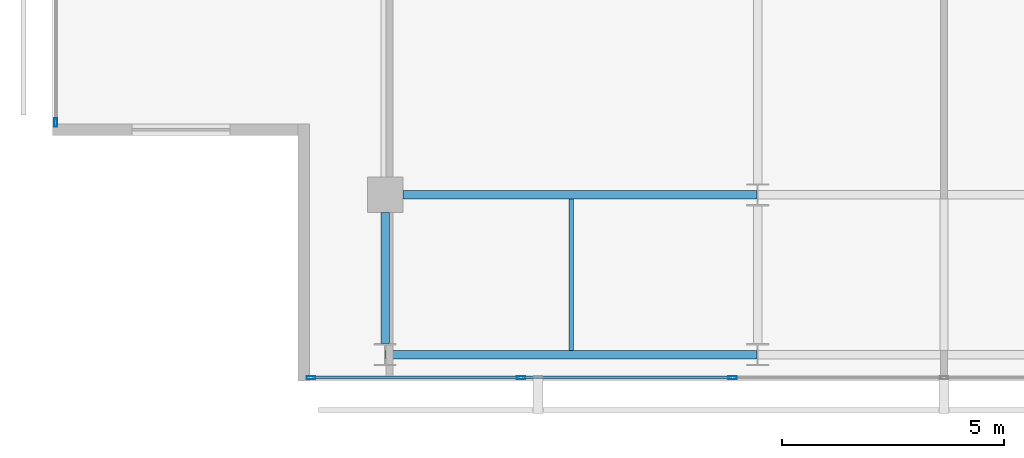
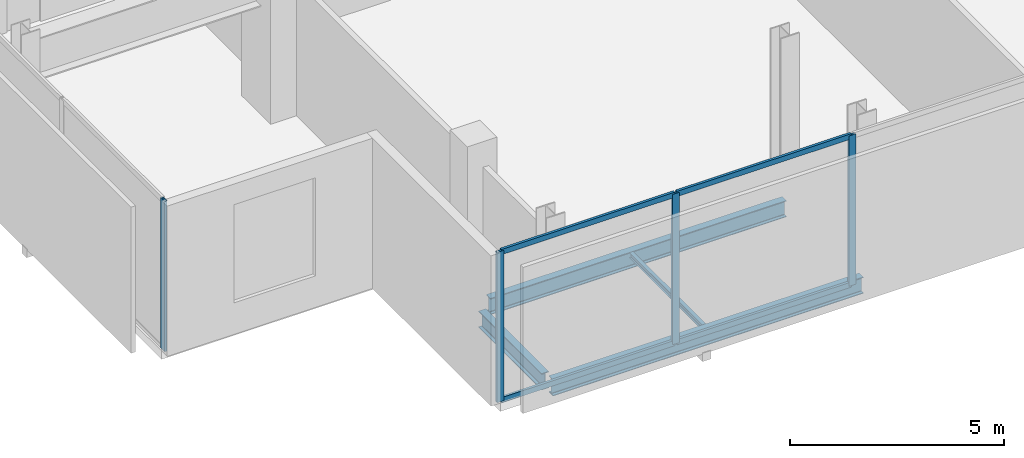
# One storey, part 2 of 23: 8 members, 4 beams, 2 elements without a shape of their own.
"""IFC4 building model written with IfcOpenShell, lengths in metres."""

from ifc_helpers import new_model, si_unit, direction, frame, origin, origin_2d, place, context, subcontext, project, spatial, hollow_rectangle, i_section, extrude, material, layer, layer_set, material_profile, profile_set, type_object, element, aggregate, save


model = new_model("IFC4")

# Units and contexts
model_context = context("Model", 3, precision=1e-05, world=origin(), true_north=direction((0.0, 1.0)))
body_context = subcontext(model_context, "Body", "Model", "MODEL_VIEW")
ifc_project = project(units=[si_unit("LENGTHUNIT", "METRE"), si_unit("AREAUNIT", "SQUARE_METRE"), si_unit("VOLUMEUNIT", "CUBIC_METRE"), si_unit("PLANEANGLEUNIT", "RADIAN"), si_unit("MASSUNIT", "GRAM", prefix="KILO")], contexts=[model_context])

# Site, building, storey
site_placement = place(None, origin())
site = spatial("IfcSite", under=ifc_project, at=site_placement, CompositionType="ELEMENT")
building_placement = place(site_placement, origin())
building = spatial("IfcBuilding", under=site, at=building_placement, Name="Maruvema Waterfront Hotel and Observation Tower", CompositionType="ELEMENT")
storey_placement = place(building_placement, frame((0.0, 0.0, 349.64990234375)))
storey = spatial("IfcBuildingStorey", under=building, at=storey_placement, Name="L86", CompositionType="ELEMENT", Elevation=349.64990234375)

# Curtain wall, members
ifc_material_1 = material(Name="Anodised bronze aluminium and solar-control low-E IGU", Category="aluminium")
ifc_layer = layer(ifc_material_1, 0.159912109375, Name="Observation Crown Structural Glazed Curtain Wall System CW-06")
ifc_layer_set = layer_set([ifc_layer], Name="Anodised bronze aluminium and solar-control low-E IGU")
curtain_wall_type = type_object("IfcCurtainWallType", Name="Observation Crown Structural Glazed Curtain Wall System CW-06", PredefinedType="USERDEFINED", material=ifc_layer_set)
curtain_wall_1_placement = place(storey_placement, origin())
curtain_wall_1 = element("IfcCurtainWall", 1, at=curtain_wall_1_placement, inside=storey, type_object=curtain_wall_type, Name="L86 Curtain Wall CW-L86-S", ObjectType="UNITISED CURTAIN WALL", PredefinedType="USERDEFINED")
ifc_material_2 = material(Name="Anodised architectural bronze aluminium", Category="aluminium")
ifc_material_profile_1 = material_profile(ifc_material_2, hollow_rectangle(XDim=0.070068359375, YDim=0.14990234375, WallThickness=0.00390625, at=origin_2d()), Name="ALU-T70x150")
ifc_profile_set_1 = profile_set([ifc_material_profile_1], Name="Anodised architectural bronze aluminium")
member_type_1 = type_object("IfcMemberType", Name="Curtain Wall Horizontal Transom ALU-T70x150", PredefinedType="USERDEFINED", material=ifc_profile_set_1)
member_1_placement = place(storey_placement, frame((23.56005859375, 13.8798828125, 0.030029296875), z_axis=(1.0, 0.0, 0.0), x_axis=(0.0, 1.0, 0.0)))
member_1 = element("IfcMember", 2, at=member_1_placement, type_object=member_type_1, Name="CW-06 transom 1.1", ObjectType="TRANSOM", PredefinedType="USERDEFINED", context=body_context, shape_type="SweptSolid", body=[
    extrude(hollow_rectangle(XDim=0.070068359375, YDim=0.14990234375, WallThickness=0.00390625, at=origin_2d()), origin(), (0.0, 0.0, 1.0), 4.676513671875),
])
member_2_placement = place(storey_placement, frame((23.56005859375, 13.8798828125, 4.260009765625), z_axis=(1.0, 0.0, 0.0), x_axis=(0.0, 1.0, 0.0)))
member_2 = element("IfcMember", 3, at=member_2_placement, type_object=member_type_1, Name="CW-06 transom 1.2", ObjectType="TRANSOM", PredefinedType="USERDEFINED", context=body_context, shape_type="SweptSolid", body=[
    extrude(hollow_rectangle(XDim=0.070068359375, YDim=0.14990234375, WallThickness=0.00390625, at=origin_2d()), origin(), (0.0, 0.0, 1.0), 4.676513671875),
])
member_3_placement = place(storey_placement, frame((28.296630859375, 13.8798828125, 0.030029296875), z_axis=(1.0, 0.0, 0.0), x_axis=(0.0, 1.0, 0.0)))
member_3 = element("IfcMember", 4, at=member_3_placement, type_object=member_type_1, Name="CW-06 transom 2.1", ObjectType="TRANSOM", PredefinedType="USERDEFINED", context=body_context, shape_type="SweptSolid", body=[
    extrude(hollow_rectangle(XDim=0.070068359375, YDim=0.14990234375, WallThickness=0.00390625, at=origin_2d()), origin(), (0.0, 0.0, 1.0), 4.706787109375),
])
member_4_placement = place(storey_placement, frame((28.296630859375, 13.8798828125, 4.260009765625), z_axis=(1.0, 0.0, 0.0), x_axis=(0.0, 1.0, 0.0)))
member_4 = element("IfcMember", 5, at=member_4_placement, type_object=member_type_1, Name="CW-06 transom 2.2", ObjectType="TRANSOM", PredefinedType="USERDEFINED", context=body_context, shape_type="SweptSolid", body=[
    extrude(hollow_rectangle(XDim=0.070068359375, YDim=0.14990234375, WallThickness=0.00390625, at=origin_2d()), origin(), (0.0, 0.0, 1.0), 4.706787109375),
])
ifc_material_3 = material(Name="Anodised architectural bronze aluminium", Category="aluminium")
ifc_material_profile_2 = material_profile(ifc_material_3, hollow_rectangle(XDim=0.070068359375, YDim=0.18994140625, WallThickness=0.00390625, at=origin_2d()), Name="ALU-M70x190")
ifc_profile_set_2 = profile_set([ifc_material_profile_2], Name="Anodised architectural bronze aluminium")
member_type_2 = type_object("IfcMemberType", Name="Podium Storefront Heavy Mullion ALU-M70x190", PredefinedType="MULLION", material=ifc_profile_set_2)
member_5_placement = place(storey_placement, frame((23.530029296875, 13.8798828125, 0.0), z_axis=(0.0, 0.0, 1.0), x_axis=(0.0, 1.0, 0.0)))
member_5 = element("IfcMember", 6, at=member_5_placement, type_object=member_type_2, Name="CW-06 mullion 1", PredefinedType="MULLION", context=body_context, shape_type="SweptSolid", body=[
    extrude(hollow_rectangle(XDim=0.070068359375, YDim=0.18994140625, WallThickness=0.00390625, at=origin_2d()), origin(), (0.0, 0.0, 1.0), 4.2900390625),
])
member_6_placement = place(storey_placement, frame((28.2666015625, 13.8798828125, 0.0), z_axis=(0.0, 0.0, 1.0), x_axis=(0.0, 1.0, 0.0)))
member_6 = element("IfcMember", 7, at=member_6_placement, type_object=member_type_2, Name="CW-06 mullion 2", PredefinedType="MULLION", context=body_context, shape_type="SweptSolid", body=[
    extrude(hollow_rectangle(XDim=0.070068359375, YDim=0.18994140625, WallThickness=0.00390625, at=origin_2d()), origin(), (0.0, 0.0, 1.0), 4.2900390625),
])
member_7_placement = place(storey_placement, frame((33.033447265625, 13.8798828125, 0.0), z_axis=(0.0, 0.0, 1.0), x_axis=(0.0, 1.0, 0.0)))
member_7 = element("IfcMember", 8, at=member_7_placement, type_object=member_type_2, Name="CW-06 mullion 3", PredefinedType="MULLION", context=body_context, shape_type="SweptSolid", body=[
    extrude(hollow_rectangle(XDim=0.070068359375, YDim=0.18994140625, WallThickness=0.00390625, at=origin_2d()), origin(), (0.0, 0.0, 1.0), 4.2900390625),
])
aggregate(curtain_wall_1, [member_5, member_6, member_7, member_1, member_2, member_3, member_4])

# Curtain wall, member
curtain_wall_2_placement = place(storey_placement, origin())
curtain_wall_2 = element("IfcCurtainWall", 9, at=curtain_wall_2_placement, inside=storey, type_object=curtain_wall_type, Name="L86 Curtain Wall CW-L86-W", ObjectType="UNITISED CURTAIN WALL", PredefinedType="USERDEFINED")
member_8_placement = place(storey_placement, frame((17.780029296875, 19.6298828125, 0.0), z_axis=(0.0, 0.0, 1.0), x_axis=(1.0, 0.0, 0.0)))
member_8 = element("IfcMember", 10, at=member_8_placement, type_object=member_type_2, Name="CW-06 mullion 7", PredefinedType="MULLION", context=body_context, shape_type="SweptSolid", body=[
    extrude(hollow_rectangle(XDim=0.070068359375, YDim=0.18994140625, WallThickness=0.00390625, at=origin_2d()), origin(), (0.0, 0.0, 1.0), 4.2900390625),
])
aggregate(curtain_wall_2, [member_8])

# Beams
ifc_material_4 = material(Name="Steel ASTM A572 Grade 50", Category="steel")
ifc_material_profile_3 = material_profile(ifc_material_4, i_section(OverallWidth=0.194091796875, OverallDepth=0.468994140625, WebThickness=0.0126953125, FlangeThickness=0.0205078125, FilletRadius=0.014892578125, at=origin_2d()), Name="W460x106.0")
ifc_profile_set_3 = profile_set([ifc_material_profile_3], Name="Steel ASTM A572 Grade 50")
beam_type_1 = type_object("IfcBeamType", Name="Primary Floor Girder W460x106.0", PredefinedType="BEAM", material=ifc_profile_set_3)
beam_1_placement = place(storey_placement, frame((25.2109375, 14.39990234375, -0.474365234375), z_axis=(1.0, 0.0, 0.0), x_axis=(0.0, 1.0, 0.0)))
element("IfcBeam", 11, at=beam_1_placement, inside=storey, type_object=beam_type_1, Name="L86 Floor Girder EW-01", PredefinedType="BEAM", context=body_context, shape_type="SweptSolid", body=[
    extrude(i_section(OverallWidth=0.194091796875, OverallDepth=0.468994140625, WebThickness=0.0126953125, FlangeThickness=0.0205078125, FilletRadius=0.014892578125, at=origin_2d()), origin(), (0.0, 0.0, 1.0), 8.378173828125),
])
beam_2_placement = place(storey_placement, frame((25.60009765625, 18.0, -0.474365234375), z_axis=(1.0, 0.0, 0.0), x_axis=(0.0, 1.0, 0.0)))
element("IfcBeam", 12, at=beam_2_placement, inside=storey, type_object=beam_type_1, Name="L86 Floor Girder EW-04", PredefinedType="BEAM", context=body_context, shape_type="SweptSolid", body=[
    extrude(i_section(OverallWidth=0.194091796875, OverallDepth=0.468994140625, WebThickness=0.0126953125, FlangeThickness=0.0205078125, FilletRadius=0.014892578125, at=origin_2d()), origin(), (0.0, 0.0, 1.0), 7.989013671875),
])
beam_3_placement = place(storey_placement, frame((25.199951171875, 14.64990234375, -0.474365234375), z_axis=(0.0, 1.0, 0.0), x_axis=(-1.0, 0.0, 0.0)))
element("IfcBeam", 13, at=beam_3_placement, inside=storey, type_object=beam_type_1, Name="L86 Floor Girder NS-03", PredefinedType="BEAM", context=body_context, shape_type="SweptSolid", body=[
    extrude(i_section(OverallWidth=0.194091796875, OverallDepth=0.468994140625, WebThickness=0.0126953125, FlangeThickness=0.0205078125, FilletRadius=0.014892578125, at=origin_2d()), origin(), (0.0, 0.0, 1.0), 2.9501953125),
])
ifc_material_5 = material(Name="Steel ASTM A572 Grade 50", Category="steel")
ifc_material_profile_4 = material_profile(ifc_material_5, i_section(OverallWidth=0.10009765625, OverallDepth=0.153076171875, WebThickness=0.005859375, FlangeThickness=0.007080078125, FilletRadius=0.008056640625, at=origin_2d()), Name="W150x18.0")
ifc_profile_set_4 = profile_set([ifc_material_profile_4], Name="Steel ASTM A572 Grade 50")
beam_type_2 = type_object("IfcBeamType", Name="Secondary Floor Joist W150x18.0", PredefinedType="JOIST", material=ifc_profile_set_4)
beam_4_placement = place(storey_placement, frame((29.39990234375, 14.4970703125, -0.31640625), z_axis=(0.0, 1.0, 0.0), x_axis=(-1.0, 0.0, 0.0)))
element("IfcBeam", 14, at=beam_4_placement, inside=storey, type_object=beam_type_2, Name="L86 Secondary Floor Joist JS-03", PredefinedType="JOIST", context=body_context, shape_type="SweptSolid", body=[
    extrude(i_section(OverallWidth=0.10009765625, OverallDepth=0.153076171875, WebThickness=0.005859375, FlangeThickness=0.007080078125, FilletRadius=0.008056640625, at=origin_2d()), origin(), (0.0, 0.0, 1.0), 3.406005859375),
])

save(model, "model.ifc")
